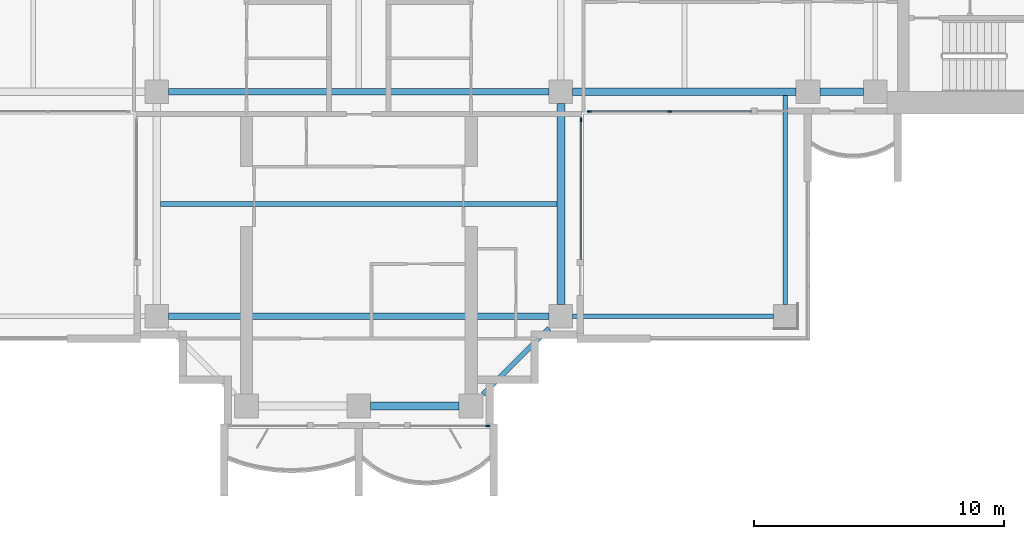
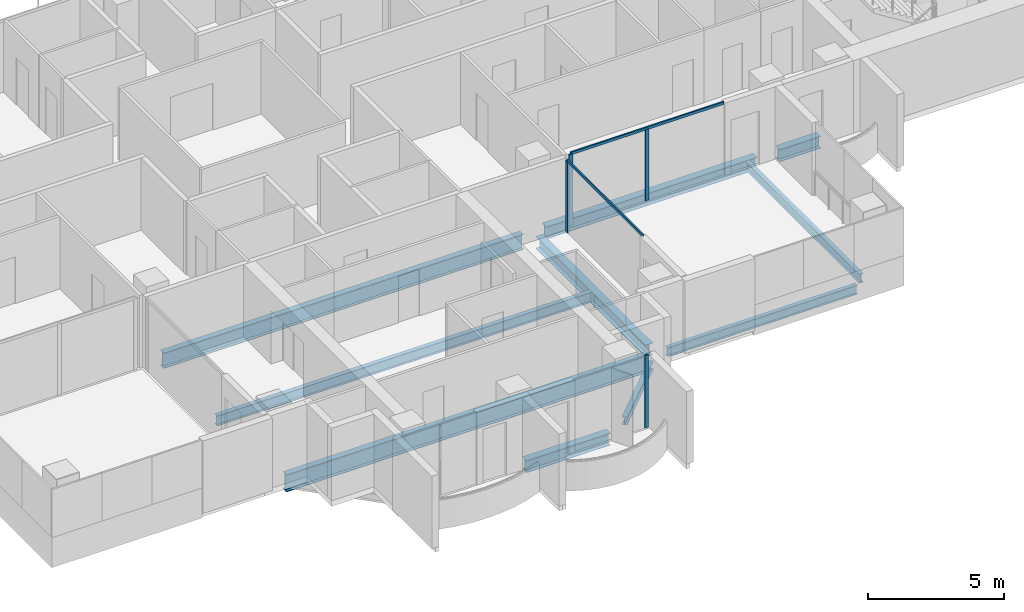
# One storey, part 3 of 17: 10 beams, 6 members, 3 elements without a shape of their own.
"""IFC4 building model written with IfcOpenShell, lengths in metres."""

from ifc_helpers import new_model, si_unit, direction, frame, origin, origin_2d, place, context, subcontext, project, spatial, rectangle, i_section, extrude, material, material_profile, profile_set, type_object, element, aggregate, save


model = new_model("IFC4")

# Units and contexts
model_context = context("Model", 3, precision=1e-05, world=origin(), true_north=direction((0.0, 1.0)))
body_context = subcontext(model_context, "Body", "Model", "MODEL_VIEW")
ifc_project = project(units=[si_unit("LENGTHUNIT", "METRE"), si_unit("AREAUNIT", "SQUARE_METRE"), si_unit("VOLUMEUNIT", "CUBIC_METRE"), si_unit("PLANEANGLEUNIT", "RADIAN"), si_unit("MASSUNIT", "GRAM", prefix="KILO")], contexts=[model_context])

# Site, building, storey
site_placement = place(None, origin())
site = spatial("IfcSite", under=ifc_project, at=site_placement, CompositionType="ELEMENT")
building_placement = place(site_placement, origin())
building = spatial("IfcBuilding", under=site, at=building_placement, Name="Perihelion Cross Residences", CompositionType="ELEMENT")
storey_placement = place(building_placement, frame((0.0, 0.0, 180.60009765625)))
storey = spatial("IfcBuildingStorey", under=building, at=storey_placement, Name="L44", CompositionType="ELEMENT", Elevation=180.60009765625)

# Curtain wall, member
ifc_material_1 = material(Name="Bronze anodised aluminium, tinted glazing", Category="aluminium")
curtain_wall_type = type_object("IfcCurtainWallType", Name="CW1", PredefinedType="NOTDEFINED", material=ifc_material_1)
curtain_wall_1_placement = place(storey_placement, origin())
curtain_wall_1 = element("IfcCurtainWall", 1, at=curtain_wall_1_placement, inside=storey, type_object=curtain_wall_type, Name="Curtain wall CW1 L44 south tip south bay 2", PredefinedType="NOTDEFINED")
ifc_material_2 = material(Name="Bronze anodised aluminium", Category="aluminium")
ifc_material_profile_1 = material_profile(ifc_material_2, rectangle(XDim=0.06005859375, YDim=0.159912109375, at=origin_2d()), Name="CW1 mullion")
ifc_profile_set_1 = profile_set([ifc_material_profile_1], Name="Bronze anodised aluminium")
member_type_1 = type_object("IfcMemberType", Name="CW1 mullion", PredefinedType="MULLION", material=ifc_profile_set_1)
member_1_placement = place(storey_placement, frame((5.169921875, -21.5, 0.0), z_axis=(0.0, 0.0, 1.0), x_axis=(0.0, 1.0, 0.0)))
member_1 = element("IfcMember", 2, at=member_1_placement, type_object=member_type_1, Name="CW1 mullion 2", PredefinedType="MULLION", context=body_context, shape_type="SweptSolid", body=[
    extrude(rectangle(XDim=0.06005859375, YDim=0.159912109375, at=origin_2d()), origin(), (0.0, 0.0, 1.0), 3.25),
])
aggregate(curtain_wall_1, [member_1])

curtain_wall_2_placement = place(storey_placement, origin())
curtain_wall_2 = element("IfcCurtainWall", 3, at=curtain_wall_2_placement, inside=storey, type_object=curtain_wall_type, Name="Curtain wall CW1 L44 south side east bay 1", PredefinedType="NOTDEFINED")
member_2_placement = place(storey_placement, frame((8.89990234375, -9.22998046875, 0.0), z_axis=(0.0, 0.0, 1.0), x_axis=(-1.0, 0.0, 0.0)))
member_2 = element("IfcMember", 4, at=member_2_placement, type_object=member_type_1, Name="CW1 mullion 2", PredefinedType="MULLION", context=body_context, shape_type="SweptSolid", body=[
    extrude(rectangle(XDim=0.06005859375, YDim=0.159912109375, at=origin_2d()), origin(), (0.0, 0.0, 1.0), 3.18994140625),
])

# Curtain wall, members
curtain_wall_3_placement = place(storey_placement, origin())
curtain_wall_3 = element("IfcCurtainWall", 5, at=curtain_wall_3_placement, inside=storey, type_object=curtain_wall_type, Name="Curtain wall CW1 L44 east side south bay 1", PredefinedType="NOTDEFINED")
member_3_placement = place(storey_placement, frame((9.22998046875, -8.89990234375, 0.0), z_axis=(0.0, 0.0, 1.0), x_axis=(0.0, 1.0, 0.0)))
member_3 = element("IfcMember", 6, at=member_3_placement, type_object=member_type_1, Name="CW1 mullion 1", PredefinedType="MULLION", context=body_context, shape_type="SweptSolid", body=[
    extrude(rectangle(XDim=0.06005859375, YDim=0.159912109375, at=origin_2d()), origin(), (0.0, 0.0, 1.0), 3.18994140625),
])
member_4_placement = place(storey_placement, frame((12.46240234375, -8.89990234375, 0.0), z_axis=(0.0, 0.0, 1.0), x_axis=(0.0, 1.0, 0.0)))
member_4 = element("IfcMember", 7, at=member_4_placement, type_object=member_type_1, Name="CW1 mullion 2", PredefinedType="MULLION", context=body_context, shape_type="SweptSolid", body=[
    extrude(rectangle(XDim=0.06005859375, YDim=0.159912109375, at=origin_2d()), origin(), (0.0, 0.0, 1.0), 3.18994140625),
])

# Member
ifc_material_3 = material(Name="Bronze anodised aluminium", Category="aluminium")
ifc_material_profile_2 = material_profile(ifc_material_3, rectangle(XDim=0.06005859375, YDim=0.1201171875, at=origin_2d()), Name="CW1 transom")
ifc_profile_set_2 = profile_set([ifc_material_profile_2], Name="Bronze anodised aluminium")
member_type_2 = type_object("IfcMemberType", Name="CW1 transom", PredefinedType="USERDEFINED", material=ifc_profile_set_2)
member_5_placement = place(storey_placement, frame((8.89990234375, -14.824951171875, 3.219970703125), z_axis=(0.0, 1.0, 0.0), x_axis=(-1.0, 0.0, 0.0)))
member_5 = element("IfcMember", 8, at=member_5_placement, type_object=member_type_2, Name="CW1 head transom", ObjectType="TRANSOM", PredefinedType="USERDEFINED", context=body_context, shape_type="SweptSolid", body=[
    extrude(rectangle(XDim=0.06005859375, YDim=0.1201171875, at=origin_2d()), origin(), (0.0, 0.0, 1.0), 5.594970703125),
])

aggregate(curtain_wall_2, [member_2, member_5])

member_6_placement = place(storey_placement, frame((9.22998046875, -8.89990234375, 3.219970703125), z_axis=(1.0, 0.0, 0.0), x_axis=(0.0, 1.0, 0.0)))
member_6 = element("IfcMember", 9, at=member_6_placement, type_object=member_type_2, Name="CW1 head transom", ObjectType="TRANSOM", PredefinedType="USERDEFINED", context=body_context, shape_type="SweptSolid", body=[
    extrude(rectangle(XDim=0.06005859375, YDim=0.1201171875, at=origin_2d()), origin(), (0.0, 0.0, 1.0), 6.4951171875),
])

aggregate(curtain_wall_3, [member_3, member_4, member_6])

# Beams
ifc_material_4 = material(Name="Steel S355", Category="steel")
ifc_material_profile_3 = material_profile(ifc_material_4, i_section(OverallWidth=0.177978515625, OverallDepth=0.406005859375, WebThickness=0.0078125, FlangeThickness=0.0126953125, at=origin_2d()), Name="W410x60")
ifc_profile_set_3 = profile_set([ifc_material_profile_3], Name="Steel S355")
beam_type_1 = type_object("IfcBeamType", Name="Core edge beam W410x60", PredefinedType="BEAM", material=ifc_profile_set_3)
beam_1_placement = place(storey_placement, frame((17.10009765625, -8.256103515625, -0.453125), z_axis=(0.0, -1.0, 0.0), x_axis=(1.0, 0.0, 0.0)))
element("IfcBeam", 10, at=beam_1_placement, inside=storey, type_object=beam_type_1, Name="Core edge beam TB2 L44 corner no. 3", PredefinedType="BEAM", context=body_context, shape_type="SweptSolid", body=[
    extrude(i_section(OverallWidth=0.177978515625, OverallDepth=0.406005859375, WebThickness=0.0078125, FlangeThickness=0.0126953125, at=origin_2d()), origin(), (0.0, 0.0, 1.0), 8.368896484375),
])
beam_2_placement = place(storey_placement, frame((8.574951171875, -17.10009765625, -0.453125), z_axis=(1.0, 0.0, 0.0), x_axis=(0.0, 1.0, 0.0)))
element("IfcBeam", 11, at=beam_2_placement, inside=storey, type_object=beam_type_1, Name="Core edge beam TB2 L44 corner no. 4", PredefinedType="BEAM", context=body_context, shape_type="SweptSolid", body=[
    extrude(i_section(OverallWidth=0.177978515625, OverallDepth=0.406005859375, WebThickness=0.0078125, FlangeThickness=0.0126953125, at=origin_2d()), origin(), (0.0, 0.0, 1.0), 8.050048828125),
])
ifc_material_5 = material(Name="Steel S355", Category="steel")
ifc_material_profile_4 = material_profile(ifc_material_5, i_section(OverallWidth=0.31201171875, OverallDepth=0.5439453125, WebThickness=0.0126953125, FlangeThickness=0.020263671875, at=origin_2d()), Name="W530x150")
ifc_profile_set_4 = profile_set([ifc_material_profile_4], Name="Steel S355")
beam_type_2 = type_object("IfcBeamType", Name="Edge beam W530x150", PredefinedType="SPANDREL", material=ifc_profile_set_4)
beam_3_placement = place(storey_placement, frame((0.47509765625, -20.699951171875, -0.522216796875), z_axis=(1.0, 0.0, 0.0), x_axis=(0.0, 1.0, 0.0)))
element("IfcBeam", 12, at=beam_3_placement, inside=storey, type_object=beam_type_2, Name="Edge beam SB4 L44 no. 7", PredefinedType="SPANDREL", context=body_context, shape_type="SweptSolid", body=[
    extrude(i_section(OverallWidth=0.31201171875, OverallDepth=0.5439453125, WebThickness=0.0126953125, FlangeThickness=0.020263671875, at=origin_2d()), origin(), (0.0, 0.0, 1.0), 3.5498046875),
])
beam_4_placement = place(storey_placement, frame((8.10009765625, -16.625, -0.522216796875), z_axis=(0.0, 1.0, 0.0), x_axis=(-1.0, 0.0, 0.0)))
element("IfcBeam", 13, at=beam_4_placement, inside=storey, type_object=beam_type_2, Name="Edge beam SB4 L44 no. 11", PredefinedType="SPANDREL", context=body_context, shape_type="SweptSolid", body=[
    extrude(i_section(OverallWidth=0.31201171875, OverallDepth=0.5439453125, WebThickness=0.0126953125, FlangeThickness=0.020263671875, at=origin_2d()), origin(), (0.0, 0.0, 1.0), 8.050048828125),
])
beam_5_placement = place(storey_placement, frame((8.574951171875, -8.10009765625, -0.522216796875), z_axis=(1.0, 0.0, 0.0), x_axis=(0.0, 1.0, 0.0)))
element("IfcBeam", 14, at=beam_5_placement, inside=storey, type_object=beam_type_2, Name="Edge beam SB4 L44 no. 12", PredefinedType="SPANDREL", context=body_context, shape_type="SweptSolid", body=[
    extrude(i_section(OverallWidth=0.31201171875, OverallDepth=0.5439453125, WebThickness=0.0126953125, FlangeThickness=0.020263671875, at=origin_2d()), origin(), (0.0, 0.0, 1.0), 8.949951171875),
])
beam_6_placement = place(storey_placement, frame((18.47509765625, -8.10009765625, -0.522216796875), z_axis=(1.0, 0.0, 0.0), x_axis=(0.0, 1.0, 0.0)))
element("IfcBeam", 15, at=beam_6_placement, inside=storey, type_object=beam_type_2, Name="Edge beam SB4 L44 no. 8", PredefinedType="SPANDREL", context=body_context, shape_type="SweptSolid", body=[
    extrude(i_section(OverallWidth=0.31201171875, OverallDepth=0.5439453125, WebThickness=0.0126953125, FlangeThickness=0.020263671875, at=origin_2d()), origin(), (0.0, 0.0, 1.0), 1.75),
])
ifc_material_6 = material(Name="Steel S355", Category="steel")
ifc_material_profile_5 = material_profile(ifc_material_6, i_section(OverallWidth=0.26708984375, OverallDepth=0.77001953125, WebThickness=0.015625, FlangeThickness=0.025390625, at=origin_2d()), Name="W760x196")
ifc_profile_set_5 = profile_set([ifc_material_profile_5], Name="Steel S355")
beam_type_3 = type_object("IfcBeamType", Name="Floor girder W760x196", PredefinedType="BEAM", material=ifc_profile_set_5)
beam_7_placement = place(storey_placement, frame((-7.625, -17.10009765625, -0.635009765625), z_axis=(1.0, 0.0, 0.0), x_axis=(0.0, 1.0, 0.0)))
element("IfcBeam", 16, at=beam_7_placement, inside=storey, type_object=beam_type_3, Name="Girder G4 L44 no. 3", PredefinedType="BEAM", context=body_context, shape_type="SweptSolid", body=[
    extrude(i_section(OverallWidth=0.26708984375, OverallDepth=0.77001953125, WebThickness=0.015625, FlangeThickness=0.025390625, at=origin_2d()), origin(), (0.0, 0.0, 1.0), 15.25),
])
ifc_material_7 = material(Name="Steel S355", Category="steel")
ifc_material_profile_6 = material_profile(ifc_material_7, i_section(OverallWidth=0.19091796875, OverallDepth=0.45703125, WebThickness=0.009033203125, FlangeThickness=0.014404296875, at=origin_2d()), Name="W460x74")
ifc_profile_set_6 = profile_set([ifc_material_profile_6], Name="Steel S355")
beam_type_4 = type_object("IfcBeamType", Name="Floor joist W460x74", PredefinedType="JOIST", material=ifc_profile_set_6)
beam_8_placement = place(storey_placement, frame((-7.944091796875, -12.60009765625, -0.478515625), z_axis=(1.0, 0.0, 0.0), x_axis=(0.0, 1.0, 0.0)))
element("IfcBeam", 17, at=beam_8_placement, inside=storey, type_object=beam_type_4, Name="Joist J5 L44 no. 3", PredefinedType="JOIST", context=body_context, shape_type="SweptSolid", body=[
    extrude(i_section(OverallWidth=0.19091796875, OverallDepth=0.45703125, WebThickness=0.009033203125, FlangeThickness=0.014404296875, at=origin_2d()), origin(), (0.0, 0.0, 1.0), 15.88818359375),
])
ifc_material_8 = material(Name="Steel S355", Category="steel")
ifc_material_profile_7 = material_profile(ifc_material_8, i_section(OverallWidth=0.257080078125, OverallDepth=0.693115234375, WebThickness=0.014404296875, FlangeThickness=0.023681640625, at=origin_2d()), Name="W690x170")
ifc_profile_set_7 = profile_set([ifc_material_profile_7], Name="Steel S355")
beam_type_5 = type_object("IfcBeamType", Name="Hub ring girder W690x170", PredefinedType="BEAM", material=ifc_profile_set_7)
beam_9_placement = place(storey_placement, frame((-7.625, -8.10009765625, -0.5966796875), z_axis=(1.0, 0.0, 0.0), x_axis=(0.0, 1.0, 0.0)))
element("IfcBeam", 18, at=beam_9_placement, inside=storey, type_object=beam_type_5, Name="Hub ring girder RG4 L44 no. 1", PredefinedType="BEAM", context=body_context, shape_type="SweptSolid", body=[
    extrude(i_section(OverallWidth=0.257080078125, OverallDepth=0.693115234375, WebThickness=0.014404296875, FlangeThickness=0.023681640625, at=origin_2d()), origin(), (0.0, 0.0, 1.0), 15.25),
])
ifc_material_9 = material(Name="Steel S355", Category="steel")
ifc_material_profile_8 = material_profile(ifc_material_9, i_section(OverallWidth=0.205078125, OverallDepth=0.35302734375, WebThickness=0.009521484375, FlangeThickness=0.016845703125, at=origin_2d()), Name="W360x79")
ifc_profile_set_8 = profile_set([ifc_material_profile_8], Name="Steel S355")
beam_type_6 = type_object("IfcBeamType", Name="Serration edge beam W360x79", PredefinedType="BEAM", material=ifc_profile_set_8)
beam_10_placement = place(storey_placement, frame((4.97509765625, -20.22509765625, -0.426513671875), z_axis=(0.70707420838, 0.707139352493, 0.0), x_axis=(-0.707139352493, 0.70707420838, 0.0)))
element("IfcBeam", 19, at=beam_10_placement, inside=storey, type_object=beam_type_6, Name="Serration edge beam EB4 L44 no. 2", PredefinedType="BEAM", context=body_context, shape_type="SweptSolid", body=[
    extrude(i_section(OverallWidth=0.205078125, OverallDepth=0.35302734375, WebThickness=0.009521484375, FlangeThickness=0.016845703125, at=origin_2d()), origin(), (0.0, 0.0, 1.0), 3.747802734375),
])

save(model, "model.ifc")
